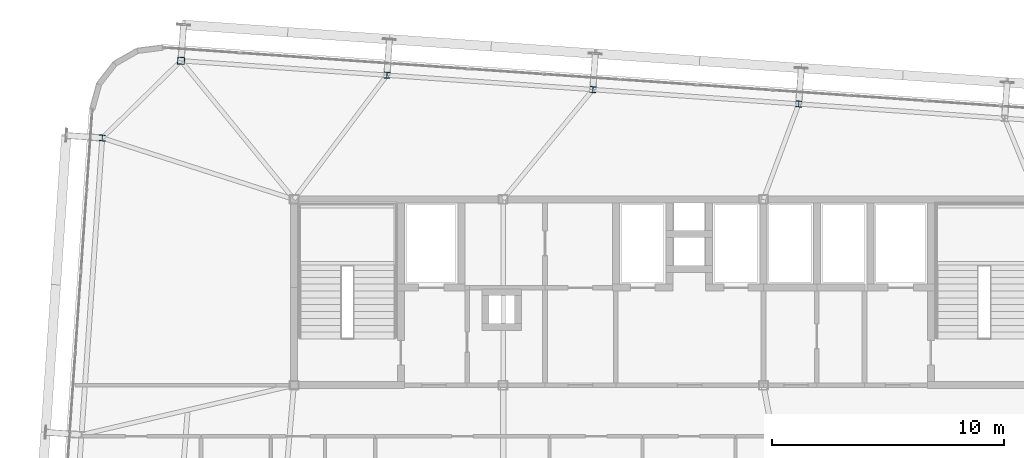
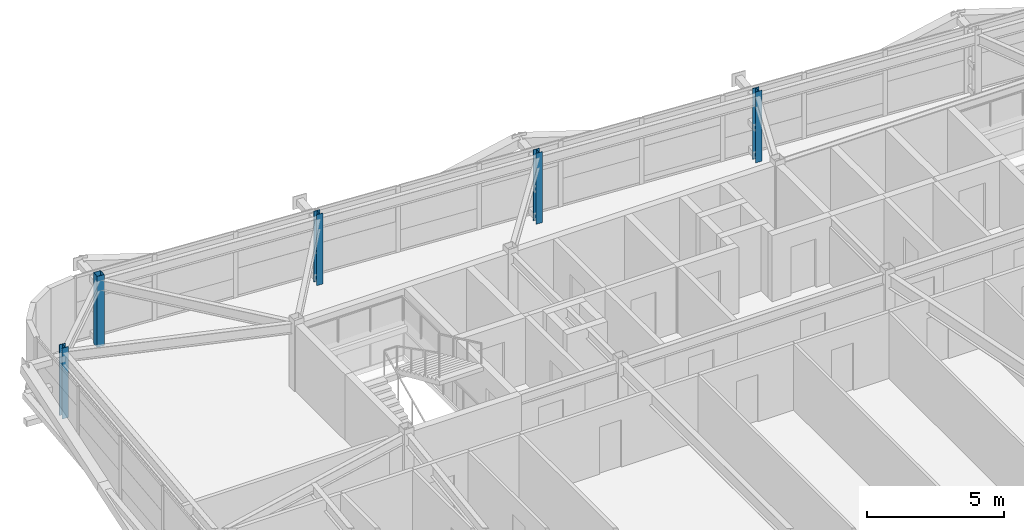
# One storey, part 4 of 47: 5 columns.
"""IFC4 building model written with IfcOpenShell, lengths in metres."""

from ifc_helpers import new_model, si_unit, direction, frame, origin, origin_2d, place, context, subcontext, project, spatial, hollow_rectangle, i_section, extrude, source, transform, mapped, material, material_profile, profile_set, type_object, element, save


model = new_model("IFC4")

# Units and contexts
model_context = context("Model", 3, precision=1e-05, world=origin(), true_north=direction((0.0, 1.0)))
body_context = subcontext(model_context, "Body", "Model", "MODEL_VIEW")
ifc_project = project(units=[si_unit("LENGTHUNIT", "METRE"), si_unit("AREAUNIT", "SQUARE_METRE"), si_unit("VOLUMEUNIT", "CUBIC_METRE"), si_unit("PLANEANGLEUNIT", "RADIAN"), si_unit("MASSUNIT", "GRAM", prefix="KILO")], contexts=[model_context])

# Site, building, storey
site_placement = place(None, origin())
site = spatial("IfcSite", under=ifc_project, at=site_placement, CompositionType="ELEMENT")
building_placement = place(site_placement, origin())
building = spatial("IfcBuilding", under=site, at=building_placement, Name="Taldren Reach Tower", CompositionType="ELEMENT")
storey_placement = place(building_placement, frame((0.0, 0.0, 142.449951171875)))
storey = spatial("IfcBuildingStorey", under=building, at=storey_placement, Name="L43", CompositionType="ELEMENT", Elevation=142.449951171875)

# Columns
ifc_material_1 = material(Name="Steel Gr 450 (C450L0)", Category="steel")
ifc_material_profile_1 = material_profile(ifc_material_1, hollow_rectangle(XDim=0.300048828125, YDim=0.300048828125, WallThickness=0.012451171875, at=origin_2d()), Name="300x300x12.5SHS")
ifc_profile_set_1 = profile_set([ifc_material_profile_1], Name="Steel Gr 450 (C450L0)")
column_type_1 = type_object("IfcColumnType", Name="COL-SHS300", PredefinedType="COLUMN", material=ifc_profile_set_1)
shared_shape_1 = source(origin(), body_context, "Body", "SweptSolid", [
    extrude(hollow_rectangle(XDim=0.300048828125, YDim=0.300048828125, WallThickness=0.012451171875, at=origin_2d()), origin(), (0.0, 0.0, 1.0), 3.150146484375),
])
column_placement = place(storey_placement, frame((14.14453125, 37.958740234375, 0.0), z_axis=(0.0, 0.0, 1.0), x_axis=(0.99756405026, -0.069756473744, 0.0)))
element("IfcColumn", 1, at=column_placement, inside=storey, type_object=column_type_1, Name="Block B3 perimeter column N1 L43", PredefinedType="COLUMN", context=body_context, shape_type="MappedRepresentation", body=[
    mapped(shared_shape_1, transform((0.0, 0.0, 0.0), scale=1.0)),
])
ifc_material_2 = material(Name="Steel Gr 350 (350PLUS)", Category="steel")
ifc_material_profile_2 = material_profile(ifc_material_2, i_section(OverallWidth=0.256103515625, OverallDepth=0.260009765625, WebThickness=0.010498046875, FlangeThickness=0.017333984375, at=origin_2d()), Name="250UC89.5")
ifc_profile_set_2 = profile_set([ifc_material_profile_2], Name="Steel Gr 350 (350PLUS)")
column_type_2 = type_object("IfcColumnType", Name="COL-UC250", PredefinedType="COLUMN", material=ifc_profile_set_2)
shared_shape_2 = source(origin(), body_context, "Body", "SweptSolid", [
    extrude(i_section(OverallWidth=0.256103515625, OverallDepth=0.260009765625, WebThickness=0.010498046875, FlangeThickness=0.017333984375, at=origin_2d()), origin(), (0.0, 0.0, 1.0), 3.150146484375),
])
for number, where, z_axis, x_axis, name in (
    (2, (23.0029296875, 37.33935546875, 0.0), (0.0, 0.0, 1.0), (0.99756405026, -0.069756473744, 0.0), "Block B3 perimeter column N2 L43"),
    (3, (31.861328125, 36.719970703125, 0.0), (0.0, 0.0, 1.0), (0.99756405026, -0.069756473744, 0.0), "Block B3 perimeter column N3 L43"),
    (4, (40.7197265625, 36.100341796875, 0.0), (0.0, 0.0, 1.0), (0.99756405026, -0.069756473744, 0.0), "Block B3 perimeter column N4 L43"),
    (5, (10.754638671875, 34.63720703125, 0.0), (0.0, 0.0, 1.0), (0.99756405026, -0.069756473744, 0.0), "Block B3 perimeter column W3 L43"),
):
    element("IfcColumn", number, at=place(storey_placement, frame(where, z_axis=z_axis, x_axis=x_axis)), inside=storey, type_object=column_type_2, Name=name, PredefinedType="COLUMN", context=body_context, shape_type="MappedRepresentation", body=[
        mapped(shared_shape_2, transform((0.0, 0.0, 0.0), scale=1.0)),
    ])

save(model, "model.ifc")
